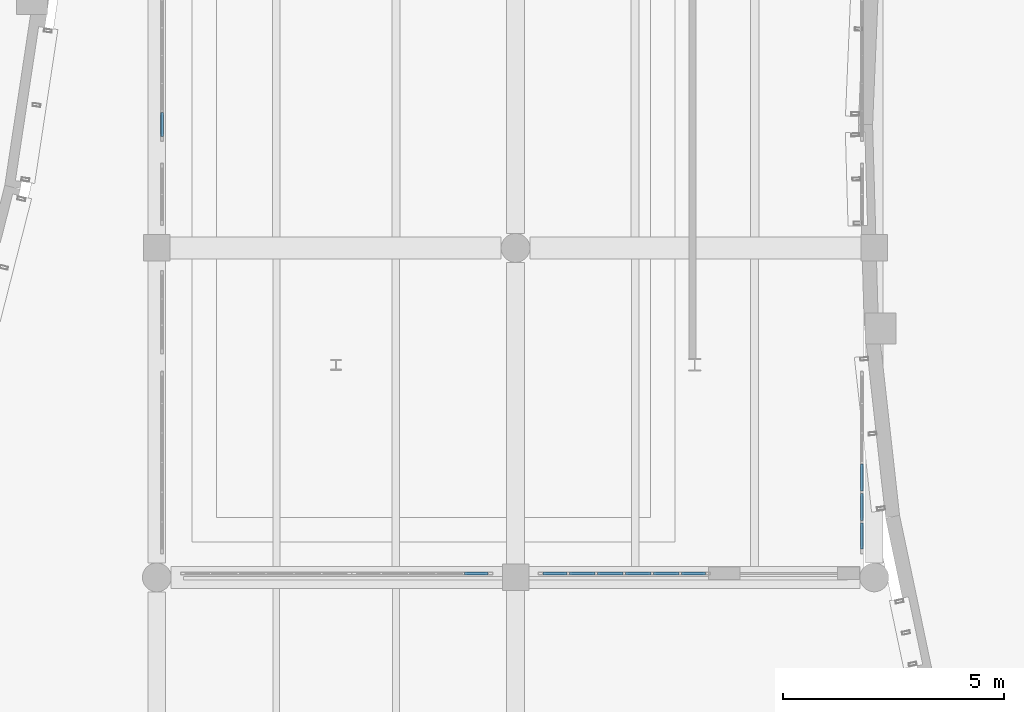
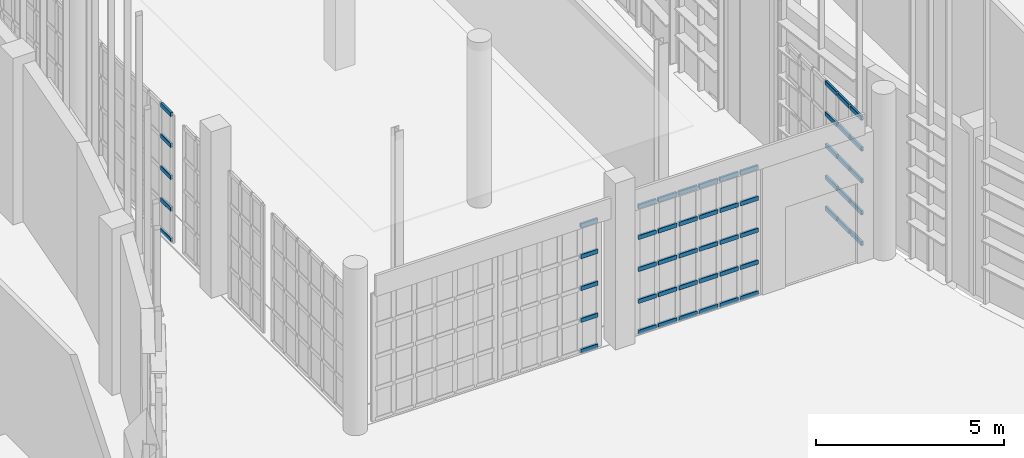
# One storey, part 306 of 372: 55 members, 4 elements without a shape of their own.
"""IFC4 building model written with IfcOpenShell, lengths in metres."""

from ifc_helpers import new_model, si_unit, direction, frame, origin, origin_2d, place, context, subcontext, project, spatial, hollow_rectangle, extrude, material, material_profile, profile_set, type_object, element, aggregate, save


model = new_model("IFC4")

# Units and contexts
model_context = context("Model", 3, precision=1e-05, world=origin(), true_north=direction((0.0, 1.0)))
body_context = subcontext(model_context, "Body", "Model", "MODEL_VIEW")
ifc_project = project(units=[si_unit("LENGTHUNIT", "METRE"), si_unit("AREAUNIT", "SQUARE_METRE"), si_unit("VOLUMEUNIT", "CUBIC_METRE"), si_unit("PLANEANGLEUNIT", "RADIAN"), si_unit("MASSUNIT", "GRAM", prefix="KILO")], contexts=[model_context])

# Site, building, storey
site_placement = place(None, origin())
site = spatial("IfcSite", under=ifc_project, at=site_placement, CompositionType="ELEMENT")
building_placement = place(site_placement, origin())
building = spatial("IfcBuilding", under=site, at=building_placement, Name="Kaelora Sail Theatre", CompositionType="ELEMENT")
storey_placement = place(building_placement, origin())
storey = spatial("IfcBuildingStorey", under=building, at=storey_placement, Name="L00", CompositionType="ELEMENT", Elevation=0.0)

# Curtain wall, members
ifc_material_1 = material(Name="Anodised aluminium and solar-control low-E IGU", Category="aluminium")
curtain_wall_type = type_object("IfcCurtainWallType", Name="ARC-CW-CW-FOY2", PredefinedType="NOTDEFINED", material=ifc_material_1)
curtain_wall_1_placement = place(storey_placement, origin())
curtain_wall_1 = element("IfcCurtainWall", 1, at=curtain_wall_1_placement, inside=storey, type_object=curtain_wall_type, Name="East Interstitial Sail Foyer Curtain Wall L00-02", PredefinedType="NOTDEFINED")
ifc_material_2 = material(Name="Anodised aluminium 6063-T6", Category="aluminium")
ifc_material_profile = material_profile(ifc_material_2, hollow_rectangle(XDim=0.070068359375, YDim=0.139892578125, WallThickness=0.00390625, InnerFilletRadius=0.00390625, OuterFilletRadius=0.008056640625, at=origin_2d()), Name="ALU-TRAN 70x140x4")
ifc_profile_set = profile_set([ifc_material_profile], Name="Anodised aluminium 6063-T6")
member_type = type_object("IfcMemberType", Name="ARC-MEM-TR-140", PredefinedType="USERDEFINED", material=ifc_profile_set)
member_1_placement = place(storey_placement, frame((113.751953125, 38.7900390625, 0.034912109375), z_axis=(1.0, 0.0, 0.0), x_axis=(0.0, 1.0, 0.0)))
member_1 = element("IfcMember", 2, at=member_1_placement, type_object=member_type, Name="CW-FOY2 transom 5.1", ObjectType="TRANSOM", PredefinedType="USERDEFINED", context=body_context, shape_type="SweptSolid", body=[
    extrude(hollow_rectangle(XDim=0.070068359375, YDim=0.139892578125, WallThickness=0.00390625, InnerFilletRadius=0.00390625, OuterFilletRadius=0.008056640625, at=origin_2d()), origin(), (0.0, 0.0, 1.0), 0.528076171875),
])
member_2_placement = place(storey_placement, frame((113.751953125, 38.7900390625, 1.0341796875), z_axis=(1.0, 0.0, 0.0), x_axis=(0.0, 1.0, 0.0)))
member_2 = element("IfcMember", 3, at=member_2_placement, type_object=member_type, Name="CW-FOY2 transom 5.2", ObjectType="TRANSOM", PredefinedType="USERDEFINED", context=body_context, shape_type="SweptSolid", body=[
    extrude(hollow_rectangle(XDim=0.070068359375, YDim=0.139892578125, WallThickness=0.00390625, InnerFilletRadius=0.00390625, OuterFilletRadius=0.008056640625, at=origin_2d()), origin(), (0.0, 0.0, 1.0), 0.528076171875),
])
member_3_placement = place(storey_placement, frame((113.751953125, 38.7900390625, 2.068603515625), z_axis=(1.0, 0.0, 0.0), x_axis=(0.0, 1.0, 0.0)))
member_3 = element("IfcMember", 4, at=member_3_placement, type_object=member_type, Name="CW-FOY2 transom 5.3", ObjectType="TRANSOM", PredefinedType="USERDEFINED", context=body_context, shape_type="SweptSolid", body=[
    extrude(hollow_rectangle(XDim=0.070068359375, YDim=0.139892578125, WallThickness=0.00390625, InnerFilletRadius=0.00390625, OuterFilletRadius=0.008056640625, at=origin_2d()), origin(), (0.0, 0.0, 1.0), 0.528076171875),
])
member_4_placement = place(storey_placement, frame((113.751953125, 38.7900390625, 3.102783203125), z_axis=(1.0, 0.0, 0.0), x_axis=(0.0, 1.0, 0.0)))
member_4 = element("IfcMember", 5, at=member_4_placement, type_object=member_type, Name="CW-FOY2 transom 5.4", ObjectType="TRANSOM", PredefinedType="USERDEFINED", context=body_context, shape_type="SweptSolid", body=[
    extrude(hollow_rectangle(XDim=0.070068359375, YDim=0.139892578125, WallThickness=0.00390625, InnerFilletRadius=0.00390625, OuterFilletRadius=0.008056640625, at=origin_2d()), origin(), (0.0, 0.0, 1.0), 0.528076171875),
])
member_5_placement = place(storey_placement, frame((113.751953125, 38.7900390625, 4.10205078125), z_axis=(1.0, 0.0, 0.0), x_axis=(0.0, 1.0, 0.0)))
member_5 = element("IfcMember", 6, at=member_5_placement, type_object=member_type, Name="CW-FOY2 transom 5.5", ObjectType="TRANSOM", PredefinedType="USERDEFINED", context=body_context, shape_type="SweptSolid", body=[
    extrude(hollow_rectangle(XDim=0.070068359375, YDim=0.139892578125, WallThickness=0.00390625, InnerFilletRadius=0.00390625, OuterFilletRadius=0.008056640625, at=origin_2d()), origin(), (0.0, 0.0, 1.0), 0.528076171875),
])
aggregate(curtain_wall_1, [member_1, member_2, member_3, member_4, member_5])

curtain_wall_2_placement = place(storey_placement, origin())
curtain_wall_2 = element("IfcCurtainWall", 7, at=curtain_wall_2_placement, inside=storey, type_object=curtain_wall_type, Name="East Interstitial Sail Foyer Curtain Wall L00-03", PredefinedType="NOTDEFINED")
member_6_placement = place(storey_placement, frame((115.52001953125, 38.7900390625, 0.034912109375), z_axis=(1.0, 0.0, 0.0), x_axis=(0.0, 1.0, 0.0)))
member_6 = element("IfcMember", 8, at=member_6_placement, type_object=member_type, Name="CW-FOY2 transom 1.1", ObjectType="TRANSOM", PredefinedType="USERDEFINED", context=body_context, shape_type="SweptSolid", body=[
    extrude(hollow_rectangle(XDim=0.070068359375, YDim=0.139892578125, WallThickness=0.00390625, InnerFilletRadius=0.00390625, OuterFilletRadius=0.008056640625, at=origin_2d()), origin(), (0.0, 0.0, 1.0), 0.541748046875),
])
member_7_placement = place(storey_placement, frame((115.52001953125, 38.7900390625, 1.0341796875), z_axis=(1.0, 0.0, 0.0), x_axis=(0.0, 1.0, 0.0)))
member_7 = element("IfcMember", 9, at=member_7_placement, type_object=member_type, Name="CW-FOY2 transom 1.2", ObjectType="TRANSOM", PredefinedType="USERDEFINED", context=body_context, shape_type="SweptSolid", body=[
    extrude(hollow_rectangle(XDim=0.070068359375, YDim=0.139892578125, WallThickness=0.00390625, InnerFilletRadius=0.00390625, OuterFilletRadius=0.008056640625, at=origin_2d()), origin(), (0.0, 0.0, 1.0), 0.541748046875),
])
member_8_placement = place(storey_placement, frame((115.52001953125, 38.7900390625, 2.068603515625), z_axis=(1.0, 0.0, 0.0), x_axis=(0.0, 1.0, 0.0)))
member_8 = element("IfcMember", 10, at=member_8_placement, type_object=member_type, Name="CW-FOY2 transom 1.3", ObjectType="TRANSOM", PredefinedType="USERDEFINED", context=body_context, shape_type="SweptSolid", body=[
    extrude(hollow_rectangle(XDim=0.070068359375, YDim=0.139892578125, WallThickness=0.00390625, InnerFilletRadius=0.00390625, OuterFilletRadius=0.008056640625, at=origin_2d()), origin(), (0.0, 0.0, 1.0), 0.541748046875),
])
member_9_placement = place(storey_placement, frame((115.52001953125, 38.7900390625, 3.102783203125), z_axis=(1.0, 0.0, 0.0), x_axis=(0.0, 1.0, 0.0)))
member_9 = element("IfcMember", 11, at=member_9_placement, type_object=member_type, Name="CW-FOY2 transom 1.4", ObjectType="TRANSOM", PredefinedType="USERDEFINED", context=body_context, shape_type="SweptSolid", body=[
    extrude(hollow_rectangle(XDim=0.070068359375, YDim=0.139892578125, WallThickness=0.00390625, InnerFilletRadius=0.00390625, OuterFilletRadius=0.008056640625, at=origin_2d()), origin(), (0.0, 0.0, 1.0), 0.541748046875),
])
member_10_placement = place(storey_placement, frame((115.52001953125, 38.7900390625, 4.10205078125), z_axis=(1.0, 0.0, 0.0), x_axis=(0.0, 1.0, 0.0)))
member_10 = element("IfcMember", 12, at=member_10_placement, type_object=member_type, Name="CW-FOY2 transom 1.5", ObjectType="TRANSOM", PredefinedType="USERDEFINED", context=body_context, shape_type="SweptSolid", body=[
    extrude(hollow_rectangle(XDim=0.070068359375, YDim=0.139892578125, WallThickness=0.00390625, InnerFilletRadius=0.00390625, OuterFilletRadius=0.008056640625, at=origin_2d()), origin(), (0.0, 0.0, 1.0), 0.541748046875),
])
member_11_placement = place(storey_placement, frame((116.12158203125, 38.7900390625, 0.034912109375), z_axis=(1.0, 0.0, 0.0), x_axis=(0.0, 1.0, 0.0)))
member_11 = element("IfcMember", 13, at=member_11_placement, type_object=member_type, Name="CW-FOY2 transom 2.1", ObjectType="TRANSOM", PredefinedType="USERDEFINED", context=body_context, shape_type="SweptSolid", body=[
    extrude(hollow_rectangle(XDim=0.070068359375, YDim=0.139892578125, WallThickness=0.00390625, InnerFilletRadius=0.00390625, OuterFilletRadius=0.008056640625, at=origin_2d()), origin(), (0.0, 0.0, 1.0), 0.57177734375),
])
member_12_placement = place(storey_placement, frame((116.12158203125, 38.7900390625, 1.0341796875), z_axis=(1.0, 0.0, 0.0), x_axis=(0.0, 1.0, 0.0)))
member_12 = element("IfcMember", 14, at=member_12_placement, type_object=member_type, Name="CW-FOY2 transom 2.2", ObjectType="TRANSOM", PredefinedType="USERDEFINED", context=body_context, shape_type="SweptSolid", body=[
    extrude(hollow_rectangle(XDim=0.070068359375, YDim=0.139892578125, WallThickness=0.00390625, InnerFilletRadius=0.00390625, OuterFilletRadius=0.008056640625, at=origin_2d()), origin(), (0.0, 0.0, 1.0), 0.57177734375),
])
member_13_placement = place(storey_placement, frame((116.12158203125, 38.7900390625, 2.068603515625), z_axis=(1.0, 0.0, 0.0), x_axis=(0.0, 1.0, 0.0)))
member_13 = element("IfcMember", 15, at=member_13_placement, type_object=member_type, Name="CW-FOY2 transom 2.3", ObjectType="TRANSOM", PredefinedType="USERDEFINED", context=body_context, shape_type="SweptSolid", body=[
    extrude(hollow_rectangle(XDim=0.070068359375, YDim=0.139892578125, WallThickness=0.00390625, InnerFilletRadius=0.00390625, OuterFilletRadius=0.008056640625, at=origin_2d()), origin(), (0.0, 0.0, 1.0), 0.57177734375),
])
member_14_placement = place(storey_placement, frame((116.12158203125, 38.7900390625, 3.102783203125), z_axis=(1.0, 0.0, 0.0), x_axis=(0.0, 1.0, 0.0)))
member_14 = element("IfcMember", 16, at=member_14_placement, type_object=member_type, Name="CW-FOY2 transom 2.4", ObjectType="TRANSOM", PredefinedType="USERDEFINED", context=body_context, shape_type="SweptSolid", body=[
    extrude(hollow_rectangle(XDim=0.070068359375, YDim=0.139892578125, WallThickness=0.00390625, InnerFilletRadius=0.00390625, OuterFilletRadius=0.008056640625, at=origin_2d()), origin(), (0.0, 0.0, 1.0), 0.57177734375),
])
member_15_placement = place(storey_placement, frame((116.12158203125, 38.7900390625, 4.10205078125), z_axis=(1.0, 0.0, 0.0), x_axis=(0.0, 1.0, 0.0)))
member_15 = element("IfcMember", 17, at=member_15_placement, type_object=member_type, Name="CW-FOY2 transom 2.5", ObjectType="TRANSOM", PredefinedType="USERDEFINED", context=body_context, shape_type="SweptSolid", body=[
    extrude(hollow_rectangle(XDim=0.070068359375, YDim=0.139892578125, WallThickness=0.00390625, InnerFilletRadius=0.00390625, OuterFilletRadius=0.008056640625, at=origin_2d()), origin(), (0.0, 0.0, 1.0), 0.57177734375),
])
member_16_placement = place(storey_placement, frame((116.75341796875, 38.7900390625, 0.034912109375), z_axis=(1.0, 0.0, 0.0), x_axis=(0.0, 1.0, 0.0)))
member_16 = element("IfcMember", 18, at=member_16_placement, type_object=member_type, Name="CW-FOY2 transom 3.1", ObjectType="TRANSOM", PredefinedType="USERDEFINED", context=body_context, shape_type="SweptSolid", body=[
    extrude(hollow_rectangle(XDim=0.070068359375, YDim=0.139892578125, WallThickness=0.00390625, InnerFilletRadius=0.00390625, OuterFilletRadius=0.008056640625, at=origin_2d()), origin(), (0.0, 0.0, 1.0), 0.571533203125),
])
member_17_placement = place(storey_placement, frame((116.75341796875, 38.7900390625, 1.0341796875), z_axis=(1.0, 0.0, 0.0), x_axis=(0.0, 1.0, 0.0)))
member_17 = element("IfcMember", 19, at=member_17_placement, type_object=member_type, Name="CW-FOY2 transom 3.2", ObjectType="TRANSOM", PredefinedType="USERDEFINED", context=body_context, shape_type="SweptSolid", body=[
    extrude(hollow_rectangle(XDim=0.070068359375, YDim=0.139892578125, WallThickness=0.00390625, InnerFilletRadius=0.00390625, OuterFilletRadius=0.008056640625, at=origin_2d()), origin(), (0.0, 0.0, 1.0), 0.571533203125),
])
member_18_placement = place(storey_placement, frame((116.75341796875, 38.7900390625, 2.068603515625), z_axis=(1.0, 0.0, 0.0), x_axis=(0.0, 1.0, 0.0)))
member_18 = element("IfcMember", 20, at=member_18_placement, type_object=member_type, Name="CW-FOY2 transom 3.3", ObjectType="TRANSOM", PredefinedType="USERDEFINED", context=body_context, shape_type="SweptSolid", body=[
    extrude(hollow_rectangle(XDim=0.070068359375, YDim=0.139892578125, WallThickness=0.00390625, InnerFilletRadius=0.00390625, OuterFilletRadius=0.008056640625, at=origin_2d()), origin(), (0.0, 0.0, 1.0), 0.571533203125),
])
member_19_placement = place(storey_placement, frame((116.75341796875, 38.7900390625, 3.102783203125), z_axis=(1.0, 0.0, 0.0), x_axis=(0.0, 1.0, 0.0)))
member_19 = element("IfcMember", 21, at=member_19_placement, type_object=member_type, Name="CW-FOY2 transom 3.4", ObjectType="TRANSOM", PredefinedType="USERDEFINED", context=body_context, shape_type="SweptSolid", body=[
    extrude(hollow_rectangle(XDim=0.070068359375, YDim=0.139892578125, WallThickness=0.00390625, InnerFilletRadius=0.00390625, OuterFilletRadius=0.008056640625, at=origin_2d()), origin(), (0.0, 0.0, 1.0), 0.571533203125),
])
member_20_placement = place(storey_placement, frame((116.75341796875, 38.7900390625, 4.10205078125), z_axis=(1.0, 0.0, 0.0), x_axis=(0.0, 1.0, 0.0)))
member_20 = element("IfcMember", 22, at=member_20_placement, type_object=member_type, Name="CW-FOY2 transom 3.5", ObjectType="TRANSOM", PredefinedType="USERDEFINED", context=body_context, shape_type="SweptSolid", body=[
    extrude(hollow_rectangle(XDim=0.070068359375, YDim=0.139892578125, WallThickness=0.00390625, InnerFilletRadius=0.00390625, OuterFilletRadius=0.008056640625, at=origin_2d()), origin(), (0.0, 0.0, 1.0), 0.571533203125),
])
member_21_placement = place(storey_placement, frame((117.385009765625, 38.7900390625, 0.034912109375), z_axis=(1.0, 0.0, 0.0), x_axis=(0.0, 1.0, 0.0)))
member_21 = element("IfcMember", 23, at=member_21_placement, type_object=member_type, Name="CW-FOY2 transom 4.1", ObjectType="TRANSOM", PredefinedType="USERDEFINED", context=body_context, shape_type="SweptSolid", body=[
    extrude(hollow_rectangle(XDim=0.070068359375, YDim=0.139892578125, WallThickness=0.00390625, InnerFilletRadius=0.00390625, OuterFilletRadius=0.008056640625, at=origin_2d()), origin(), (0.0, 0.0, 1.0), 0.57177734375),
])
member_22_placement = place(storey_placement, frame((117.385009765625, 38.7900390625, 1.0341796875), z_axis=(1.0, 0.0, 0.0), x_axis=(0.0, 1.0, 0.0)))
member_22 = element("IfcMember", 24, at=member_22_placement, type_object=member_type, Name="CW-FOY2 transom 4.2", ObjectType="TRANSOM", PredefinedType="USERDEFINED", context=body_context, shape_type="SweptSolid", body=[
    extrude(hollow_rectangle(XDim=0.070068359375, YDim=0.139892578125, WallThickness=0.00390625, InnerFilletRadius=0.00390625, OuterFilletRadius=0.008056640625, at=origin_2d()), origin(), (0.0, 0.0, 1.0), 0.57177734375),
])
member_23_placement = place(storey_placement, frame((117.385009765625, 38.7900390625, 2.068603515625), z_axis=(1.0, 0.0, 0.0), x_axis=(0.0, 1.0, 0.0)))
member_23 = element("IfcMember", 25, at=member_23_placement, type_object=member_type, Name="CW-FOY2 transom 4.3", ObjectType="TRANSOM", PredefinedType="USERDEFINED", context=body_context, shape_type="SweptSolid", body=[
    extrude(hollow_rectangle(XDim=0.070068359375, YDim=0.139892578125, WallThickness=0.00390625, InnerFilletRadius=0.00390625, OuterFilletRadius=0.008056640625, at=origin_2d()), origin(), (0.0, 0.0, 1.0), 0.57177734375),
])
member_24_placement = place(storey_placement, frame((117.385009765625, 38.7900390625, 3.102783203125), z_axis=(1.0, 0.0, 0.0), x_axis=(0.0, 1.0, 0.0)))
member_24 = element("IfcMember", 26, at=member_24_placement, type_object=member_type, Name="CW-FOY2 transom 4.4", ObjectType="TRANSOM", PredefinedType="USERDEFINED", context=body_context, shape_type="SweptSolid", body=[
    extrude(hollow_rectangle(XDim=0.070068359375, YDim=0.139892578125, WallThickness=0.00390625, InnerFilletRadius=0.00390625, OuterFilletRadius=0.008056640625, at=origin_2d()), origin(), (0.0, 0.0, 1.0), 0.57177734375),
])
member_25_placement = place(storey_placement, frame((117.385009765625, 38.7900390625, 4.10205078125), z_axis=(1.0, 0.0, 0.0), x_axis=(0.0, 1.0, 0.0)))
member_25 = element("IfcMember", 27, at=member_25_placement, type_object=member_type, Name="CW-FOY2 transom 4.5", ObjectType="TRANSOM", PredefinedType="USERDEFINED", context=body_context, shape_type="SweptSolid", body=[
    extrude(hollow_rectangle(XDim=0.070068359375, YDim=0.139892578125, WallThickness=0.00390625, InnerFilletRadius=0.00390625, OuterFilletRadius=0.008056640625, at=origin_2d()), origin(), (0.0, 0.0, 1.0), 0.57177734375),
])
member_26_placement = place(storey_placement, frame((118.0166015625, 38.7900390625, 0.034912109375), z_axis=(1.0, 0.0, 0.0), x_axis=(0.0, 1.0, 0.0)))
member_26 = element("IfcMember", 28, at=member_26_placement, type_object=member_type, Name="CW-FOY2 transom 5.1", ObjectType="TRANSOM", PredefinedType="USERDEFINED", context=body_context, shape_type="SweptSolid", body=[
    extrude(hollow_rectangle(XDim=0.070068359375, YDim=0.139892578125, WallThickness=0.00390625, InnerFilletRadius=0.00390625, OuterFilletRadius=0.008056640625, at=origin_2d()), origin(), (0.0, 0.0, 1.0), 0.57177734375),
])
member_27_placement = place(storey_placement, frame((118.0166015625, 38.7900390625, 1.0341796875), z_axis=(1.0, 0.0, 0.0), x_axis=(0.0, 1.0, 0.0)))
member_27 = element("IfcMember", 29, at=member_27_placement, type_object=member_type, Name="CW-FOY2 transom 5.2", ObjectType="TRANSOM", PredefinedType="USERDEFINED", context=body_context, shape_type="SweptSolid", body=[
    extrude(hollow_rectangle(XDim=0.070068359375, YDim=0.139892578125, WallThickness=0.00390625, InnerFilletRadius=0.00390625, OuterFilletRadius=0.008056640625, at=origin_2d()), origin(), (0.0, 0.0, 1.0), 0.57177734375),
])
member_28_placement = place(storey_placement, frame((118.0166015625, 38.7900390625, 2.068603515625), z_axis=(1.0, 0.0, 0.0), x_axis=(0.0, 1.0, 0.0)))
member_28 = element("IfcMember", 30, at=member_28_placement, type_object=member_type, Name="CW-FOY2 transom 5.3", ObjectType="TRANSOM", PredefinedType="USERDEFINED", context=body_context, shape_type="SweptSolid", body=[
    extrude(hollow_rectangle(XDim=0.070068359375, YDim=0.139892578125, WallThickness=0.00390625, InnerFilletRadius=0.00390625, OuterFilletRadius=0.008056640625, at=origin_2d()), origin(), (0.0, 0.0, 1.0), 0.57177734375),
])
member_29_placement = place(storey_placement, frame((118.0166015625, 38.7900390625, 3.102783203125), z_axis=(1.0, 0.0, 0.0), x_axis=(0.0, 1.0, 0.0)))
member_29 = element("IfcMember", 31, at=member_29_placement, type_object=member_type, Name="CW-FOY2 transom 5.4", ObjectType="TRANSOM", PredefinedType="USERDEFINED", context=body_context, shape_type="SweptSolid", body=[
    extrude(hollow_rectangle(XDim=0.070068359375, YDim=0.139892578125, WallThickness=0.00390625, InnerFilletRadius=0.00390625, OuterFilletRadius=0.008056640625, at=origin_2d()), origin(), (0.0, 0.0, 1.0), 0.57177734375),
])
member_30_placement = place(storey_placement, frame((118.0166015625, 38.7900390625, 4.10205078125), z_axis=(1.0, 0.0, 0.0), x_axis=(0.0, 1.0, 0.0)))
member_30 = element("IfcMember", 32, at=member_30_placement, type_object=member_type, Name="CW-FOY2 transom 5.5", ObjectType="TRANSOM", PredefinedType="USERDEFINED", context=body_context, shape_type="SweptSolid", body=[
    extrude(hollow_rectangle(XDim=0.070068359375, YDim=0.139892578125, WallThickness=0.00390625, InnerFilletRadius=0.00390625, OuterFilletRadius=0.008056640625, at=origin_2d()), origin(), (0.0, 0.0, 1.0), 0.57177734375),
])
member_31_placement = place(storey_placement, frame((118.6484375, 38.7900390625, 0.034912109375), z_axis=(1.0, 0.0, 0.0), x_axis=(0.0, 1.0, 0.0)))
member_31 = element("IfcMember", 33, at=member_31_placement, type_object=member_type, Name="CW-FOY2 transom 6.1", ObjectType="TRANSOM", PredefinedType="USERDEFINED", context=body_context, shape_type="SweptSolid", body=[
    extrude(hollow_rectangle(XDim=0.070068359375, YDim=0.139892578125, WallThickness=0.00390625, InnerFilletRadius=0.00390625, OuterFilletRadius=0.008056640625, at=origin_2d()), origin(), (0.0, 0.0, 1.0), 0.54150390625),
])
member_32_placement = place(storey_placement, frame((118.6484375, 38.7900390625, 1.0341796875), z_axis=(1.0, 0.0, 0.0), x_axis=(0.0, 1.0, 0.0)))
member_32 = element("IfcMember", 34, at=member_32_placement, type_object=member_type, Name="CW-FOY2 transom 6.2", ObjectType="TRANSOM", PredefinedType="USERDEFINED", context=body_context, shape_type="SweptSolid", body=[
    extrude(hollow_rectangle(XDim=0.070068359375, YDim=0.139892578125, WallThickness=0.00390625, InnerFilletRadius=0.00390625, OuterFilletRadius=0.008056640625, at=origin_2d()), origin(), (0.0, 0.0, 1.0), 0.54150390625),
])
member_33_placement = place(storey_placement, frame((118.6484375, 38.7900390625, 2.068603515625), z_axis=(1.0, 0.0, 0.0), x_axis=(0.0, 1.0, 0.0)))
member_33 = element("IfcMember", 35, at=member_33_placement, type_object=member_type, Name="CW-FOY2 transom 6.3", ObjectType="TRANSOM", PredefinedType="USERDEFINED", context=body_context, shape_type="SweptSolid", body=[
    extrude(hollow_rectangle(XDim=0.070068359375, YDim=0.139892578125, WallThickness=0.00390625, InnerFilletRadius=0.00390625, OuterFilletRadius=0.008056640625, at=origin_2d()), origin(), (0.0, 0.0, 1.0), 0.54150390625),
])
member_34_placement = place(storey_placement, frame((118.6484375, 38.7900390625, 3.102783203125), z_axis=(1.0, 0.0, 0.0), x_axis=(0.0, 1.0, 0.0)))
member_34 = element("IfcMember", 36, at=member_34_placement, type_object=member_type, Name="CW-FOY2 transom 6.4", ObjectType="TRANSOM", PredefinedType="USERDEFINED", context=body_context, shape_type="SweptSolid", body=[
    extrude(hollow_rectangle(XDim=0.070068359375, YDim=0.139892578125, WallThickness=0.00390625, InnerFilletRadius=0.00390625, OuterFilletRadius=0.008056640625, at=origin_2d()), origin(), (0.0, 0.0, 1.0), 0.54150390625),
])
member_35_placement = place(storey_placement, frame((118.6484375, 38.7900390625, 4.10205078125), z_axis=(1.0, 0.0, 0.0), x_axis=(0.0, 1.0, 0.0)))
member_35 = element("IfcMember", 37, at=member_35_placement, type_object=member_type, Name="CW-FOY2 transom 6.5", ObjectType="TRANSOM", PredefinedType="USERDEFINED", context=body_context, shape_type="SweptSolid", body=[
    extrude(hollow_rectangle(XDim=0.070068359375, YDim=0.139892578125, WallThickness=0.00390625, InnerFilletRadius=0.00390625, OuterFilletRadius=0.008056640625, at=origin_2d()), origin(), (0.0, 0.0, 1.0), 0.54150390625),
])
aggregate(curtain_wall_2, [member_6, member_7, member_8, member_9, member_10, member_11, member_12, member_13, member_14, member_15, member_16, member_17, member_18, member_19, member_20, member_21, member_22, member_23, member_24, member_25, member_26, member_27, member_28, member_29, member_30, member_31, member_32, member_33, member_34, member_35])

curtain_wall_3_placement = place(storey_placement, origin())
curtain_wall_3 = element("IfcCurtainWall", 38, at=curtain_wall_3_placement, inside=storey, type_object=curtain_wall_type, Name="East Interstitial Foyer East Glazed Return L00-01", PredefinedType="NOTDEFINED")
member_36_placement = place(storey_placement, frame((122.719970703125, 39.344970703125, 0.034912109375), z_axis=(0.0, 1.0, 0.0), x_axis=(-1.0, 0.0, 0.0)))
member_36 = element("IfcMember", 39, at=member_36_placement, type_object=member_type, Name="CW-FOY2 transom 1.1", ObjectType="TRANSOM", PredefinedType="USERDEFINED", context=body_context, shape_type="SweptSolid", body=[
    extrude(hollow_rectangle(XDim=0.070068359375, YDim=0.139892578125, WallThickness=0.00390625, InnerFilletRadius=0.00390625, OuterFilletRadius=0.008056640625, at=origin_2d()), origin(), (0.0, 0.0, 1.0), 0.5791015625),
])
member_37_placement = place(storey_placement, frame((122.719970703125, 39.344970703125, 1.0341796875), z_axis=(0.0, 1.0, 0.0), x_axis=(-1.0, 0.0, 0.0)))
member_37 = element("IfcMember", 40, at=member_37_placement, type_object=member_type, Name="CW-FOY2 transom 1.2", ObjectType="TRANSOM", PredefinedType="USERDEFINED", context=body_context, shape_type="SweptSolid", body=[
    extrude(hollow_rectangle(XDim=0.070068359375, YDim=0.139892578125, WallThickness=0.00390625, InnerFilletRadius=0.00390625, OuterFilletRadius=0.008056640625, at=origin_2d()), origin(), (0.0, 0.0, 1.0), 0.5791015625),
])
member_38_placement = place(storey_placement, frame((122.719970703125, 39.344970703125, 2.068603515625), z_axis=(0.0, 1.0, 0.0), x_axis=(-1.0, 0.0, 0.0)))
member_38 = element("IfcMember", 41, at=member_38_placement, type_object=member_type, Name="CW-FOY2 transom 1.3", ObjectType="TRANSOM", PredefinedType="USERDEFINED", context=body_context, shape_type="SweptSolid", body=[
    extrude(hollow_rectangle(XDim=0.070068359375, YDim=0.139892578125, WallThickness=0.00390625, InnerFilletRadius=0.00390625, OuterFilletRadius=0.008056640625, at=origin_2d()), origin(), (0.0, 0.0, 1.0), 0.5791015625),
])
member_39_placement = place(storey_placement, frame((122.719970703125, 39.344970703125, 3.102783203125), z_axis=(0.0, 1.0, 0.0), x_axis=(-1.0, 0.0, 0.0)))
member_39 = element("IfcMember", 42, at=member_39_placement, type_object=member_type, Name="CW-FOY2 transom 1.4", ObjectType="TRANSOM", PredefinedType="USERDEFINED", context=body_context, shape_type="SweptSolid", body=[
    extrude(hollow_rectangle(XDim=0.070068359375, YDim=0.139892578125, WallThickness=0.00390625, InnerFilletRadius=0.00390625, OuterFilletRadius=0.008056640625, at=origin_2d()), origin(), (0.0, 0.0, 1.0), 0.5791015625),
])
member_40_placement = place(storey_placement, frame((122.719970703125, 39.344970703125, 4.10205078125), z_axis=(0.0, 1.0, 0.0), x_axis=(-1.0, 0.0, 0.0)))
member_40 = element("IfcMember", 43, at=member_40_placement, type_object=member_type, Name="CW-FOY2 transom 1.5", ObjectType="TRANSOM", PredefinedType="USERDEFINED", context=body_context, shape_type="SweptSolid", body=[
    extrude(hollow_rectangle(XDim=0.070068359375, YDim=0.139892578125, WallThickness=0.00390625, InnerFilletRadius=0.00390625, OuterFilletRadius=0.008056640625, at=origin_2d()), origin(), (0.0, 0.0, 1.0), 0.5791015625),
])
member_41_placement = place(storey_placement, frame((122.719970703125, 39.984130859375, 0.034912109375), z_axis=(0.0, 1.0, 0.0), x_axis=(-1.0, 0.0, 0.0)))
member_41 = element("IfcMember", 44, at=member_41_placement, type_object=member_type, Name="CW-FOY2 transom 2.1", ObjectType="TRANSOM", PredefinedType="USERDEFINED", context=body_context, shape_type="SweptSolid", body=[
    extrude(hollow_rectangle(XDim=0.070068359375, YDim=0.139892578125, WallThickness=0.00390625, InnerFilletRadius=0.00390625, OuterFilletRadius=0.008056640625, at=origin_2d()), origin(), (0.0, 0.0, 1.0), 0.609130859375),
])
member_42_placement = place(storey_placement, frame((122.719970703125, 39.984130859375, 1.0341796875), z_axis=(0.0, 1.0, 0.0), x_axis=(-1.0, 0.0, 0.0)))
member_42 = element("IfcMember", 45, at=member_42_placement, type_object=member_type, Name="CW-FOY2 transom 2.2", ObjectType="TRANSOM", PredefinedType="USERDEFINED", context=body_context, shape_type="SweptSolid", body=[
    extrude(hollow_rectangle(XDim=0.070068359375, YDim=0.139892578125, WallThickness=0.00390625, InnerFilletRadius=0.00390625, OuterFilletRadius=0.008056640625, at=origin_2d()), origin(), (0.0, 0.0, 1.0), 0.609130859375),
])
member_43_placement = place(storey_placement, frame((122.719970703125, 39.984130859375, 2.068603515625), z_axis=(0.0, 1.0, 0.0), x_axis=(-1.0, 0.0, 0.0)))
member_43 = element("IfcMember", 46, at=member_43_placement, type_object=member_type, Name="CW-FOY2 transom 2.3", ObjectType="TRANSOM", PredefinedType="USERDEFINED", context=body_context, shape_type="SweptSolid", body=[
    extrude(hollow_rectangle(XDim=0.070068359375, YDim=0.139892578125, WallThickness=0.00390625, InnerFilletRadius=0.00390625, OuterFilletRadius=0.008056640625, at=origin_2d()), origin(), (0.0, 0.0, 1.0), 0.609130859375),
])
member_44_placement = place(storey_placement, frame((122.719970703125, 39.984130859375, 3.102783203125), z_axis=(0.0, 1.0, 0.0), x_axis=(-1.0, 0.0, 0.0)))
member_44 = element("IfcMember", 47, at=member_44_placement, type_object=member_type, Name="CW-FOY2 transom 2.4", ObjectType="TRANSOM", PredefinedType="USERDEFINED", context=body_context, shape_type="SweptSolid", body=[
    extrude(hollow_rectangle(XDim=0.070068359375, YDim=0.139892578125, WallThickness=0.00390625, InnerFilletRadius=0.00390625, OuterFilletRadius=0.008056640625, at=origin_2d()), origin(), (0.0, 0.0, 1.0), 0.609130859375),
])
member_45_placement = place(storey_placement, frame((122.719970703125, 39.984130859375, 4.10205078125), z_axis=(0.0, 1.0, 0.0), x_axis=(-1.0, 0.0, 0.0)))
member_45 = element("IfcMember", 48, at=member_45_placement, type_object=member_type, Name="CW-FOY2 transom 2.5", ObjectType="TRANSOM", PredefinedType="USERDEFINED", context=body_context, shape_type="SweptSolid", body=[
    extrude(hollow_rectangle(XDim=0.070068359375, YDim=0.139892578125, WallThickness=0.00390625, InnerFilletRadius=0.00390625, OuterFilletRadius=0.008056640625, at=origin_2d()), origin(), (0.0, 0.0, 1.0), 0.609130859375),
])
member_46_placement = place(storey_placement, frame((122.719970703125, 40.6533203125, 0.034912109375), z_axis=(0.0, 1.0, 0.0), x_axis=(-1.0, 0.0, 0.0)))
member_46 = element("IfcMember", 49, at=member_46_placement, type_object=member_type, Name="CW-FOY2 transom 3.1", ObjectType="TRANSOM", PredefinedType="USERDEFINED", context=body_context, shape_type="SweptSolid", body=[
    extrude(hollow_rectangle(XDim=0.070068359375, YDim=0.139892578125, WallThickness=0.00390625, InnerFilletRadius=0.00390625, OuterFilletRadius=0.008056640625, at=origin_2d()), origin(), (0.0, 0.0, 1.0), 0.609130859375),
])
member_47_placement = place(storey_placement, frame((122.719970703125, 40.6533203125, 1.0341796875), z_axis=(0.0, 1.0, 0.0), x_axis=(-1.0, 0.0, 0.0)))
member_47 = element("IfcMember", 50, at=member_47_placement, type_object=member_type, Name="CW-FOY2 transom 3.2", ObjectType="TRANSOM", PredefinedType="USERDEFINED", context=body_context, shape_type="SweptSolid", body=[
    extrude(hollow_rectangle(XDim=0.070068359375, YDim=0.139892578125, WallThickness=0.00390625, InnerFilletRadius=0.00390625, OuterFilletRadius=0.008056640625, at=origin_2d()), origin(), (0.0, 0.0, 1.0), 0.609130859375),
])
member_48_placement = place(storey_placement, frame((122.719970703125, 40.6533203125, 2.068603515625), z_axis=(0.0, 1.0, 0.0), x_axis=(-1.0, 0.0, 0.0)))
member_48 = element("IfcMember", 51, at=member_48_placement, type_object=member_type, Name="CW-FOY2 transom 3.3", ObjectType="TRANSOM", PredefinedType="USERDEFINED", context=body_context, shape_type="SweptSolid", body=[
    extrude(hollow_rectangle(XDim=0.070068359375, YDim=0.139892578125, WallThickness=0.00390625, InnerFilletRadius=0.00390625, OuterFilletRadius=0.008056640625, at=origin_2d()), origin(), (0.0, 0.0, 1.0), 0.609130859375),
])
member_49_placement = place(storey_placement, frame((122.719970703125, 40.6533203125, 3.102783203125), z_axis=(0.0, 1.0, 0.0), x_axis=(-1.0, 0.0, 0.0)))
member_49 = element("IfcMember", 52, at=member_49_placement, type_object=member_type, Name="CW-FOY2 transom 3.4", ObjectType="TRANSOM", PredefinedType="USERDEFINED", context=body_context, shape_type="SweptSolid", body=[
    extrude(hollow_rectangle(XDim=0.070068359375, YDim=0.139892578125, WallThickness=0.00390625, InnerFilletRadius=0.00390625, OuterFilletRadius=0.008056640625, at=origin_2d()), origin(), (0.0, 0.0, 1.0), 0.609130859375),
])
member_50_placement = place(storey_placement, frame((122.719970703125, 40.6533203125, 4.10205078125), z_axis=(0.0, 1.0, 0.0), x_axis=(-1.0, 0.0, 0.0)))
member_50 = element("IfcMember", 53, at=member_50_placement, type_object=member_type, Name="CW-FOY2 transom 3.5", ObjectType="TRANSOM", PredefinedType="USERDEFINED", context=body_context, shape_type="SweptSolid", body=[
    extrude(hollow_rectangle(XDim=0.070068359375, YDim=0.139892578125, WallThickness=0.00390625, InnerFilletRadius=0.00390625, OuterFilletRadius=0.008056640625, at=origin_2d()), origin(), (0.0, 0.0, 1.0), 0.609130859375),
])
aggregate(curtain_wall_3, [member_36, member_37, member_38, member_39, member_40, member_41, member_42, member_43, member_44, member_45, member_46, member_47, member_48, member_49, member_50])

curtain_wall_4_placement = place(storey_placement, origin())
curtain_wall_4 = element("IfcCurtainWall", 54, at=curtain_wall_4_placement, inside=storey, type_object=curtain_wall_type, Name="East Interstitial Foyer West Glazed Return L00-03", PredefinedType="NOTDEFINED")
member_51_placement = place(storey_placement, frame((106.919921875, 48.659912109375, 0.034912109375), z_axis=(0.0, 1.0, 0.0), x_axis=(-1.0, 0.0, 0.0)))
member_51 = element("IfcMember", 55, at=member_51_placement, type_object=member_type, Name="CW-FOY2 transom 1.1", ObjectType="TRANSOM", PredefinedType="USERDEFINED", context=body_context, shape_type="SweptSolid", body=[
    extrude(hollow_rectangle(XDim=0.070068359375, YDim=0.139892578125, WallThickness=0.00390625, InnerFilletRadius=0.00390625, OuterFilletRadius=0.008056640625, at=origin_2d()), origin(), (0.0, 0.0, 1.0), 0.537841796875),
])
member_52_placement = place(storey_placement, frame((106.919921875, 48.659912109375, 1.0341796875), z_axis=(0.0, 1.0, 0.0), x_axis=(-1.0, 0.0, 0.0)))
member_52 = element("IfcMember", 56, at=member_52_placement, type_object=member_type, Name="CW-FOY2 transom 1.2", ObjectType="TRANSOM", PredefinedType="USERDEFINED", context=body_context, shape_type="SweptSolid", body=[
    extrude(hollow_rectangle(XDim=0.070068359375, YDim=0.139892578125, WallThickness=0.00390625, InnerFilletRadius=0.00390625, OuterFilletRadius=0.008056640625, at=origin_2d()), origin(), (0.0, 0.0, 1.0), 0.537841796875),
])
member_53_placement = place(storey_placement, frame((106.919921875, 48.659912109375, 2.068603515625), z_axis=(0.0, 1.0, 0.0), x_axis=(-1.0, 0.0, 0.0)))
member_53 = element("IfcMember", 57, at=member_53_placement, type_object=member_type, Name="CW-FOY2 transom 1.3", ObjectType="TRANSOM", PredefinedType="USERDEFINED", context=body_context, shape_type="SweptSolid", body=[
    extrude(hollow_rectangle(XDim=0.070068359375, YDim=0.139892578125, WallThickness=0.00390625, InnerFilletRadius=0.00390625, OuterFilletRadius=0.008056640625, at=origin_2d()), origin(), (0.0, 0.0, 1.0), 0.537841796875),
])
member_54_placement = place(storey_placement, frame((106.919921875, 48.659912109375, 3.102783203125), z_axis=(0.0, 1.0, 0.0), x_axis=(-1.0, 0.0, 0.0)))
member_54 = element("IfcMember", 58, at=member_54_placement, type_object=member_type, Name="CW-FOY2 transom 1.4", ObjectType="TRANSOM", PredefinedType="USERDEFINED", context=body_context, shape_type="SweptSolid", body=[
    extrude(hollow_rectangle(XDim=0.070068359375, YDim=0.139892578125, WallThickness=0.00390625, InnerFilletRadius=0.00390625, OuterFilletRadius=0.008056640625, at=origin_2d()), origin(), (0.0, 0.0, 1.0), 0.537841796875),
])
member_55_placement = place(storey_placement, frame((106.919921875, 48.659912109375, 4.10205078125), z_axis=(0.0, 1.0, 0.0), x_axis=(-1.0, 0.0, 0.0)))
member_55 = element("IfcMember", 59, at=member_55_placement, type_object=member_type, Name="CW-FOY2 transom 1.5", ObjectType="TRANSOM", PredefinedType="USERDEFINED", context=body_context, shape_type="SweptSolid", body=[
    extrude(hollow_rectangle(XDim=0.070068359375, YDim=0.139892578125, WallThickness=0.00390625, InnerFilletRadius=0.00390625, OuterFilletRadius=0.008056640625, at=origin_2d()), origin(), (0.0, 0.0, 1.0), 0.537841796875),
])
aggregate(curtain_wall_4, [member_51, member_52, member_53, member_54, member_55])

save(model, "model.ifc")
